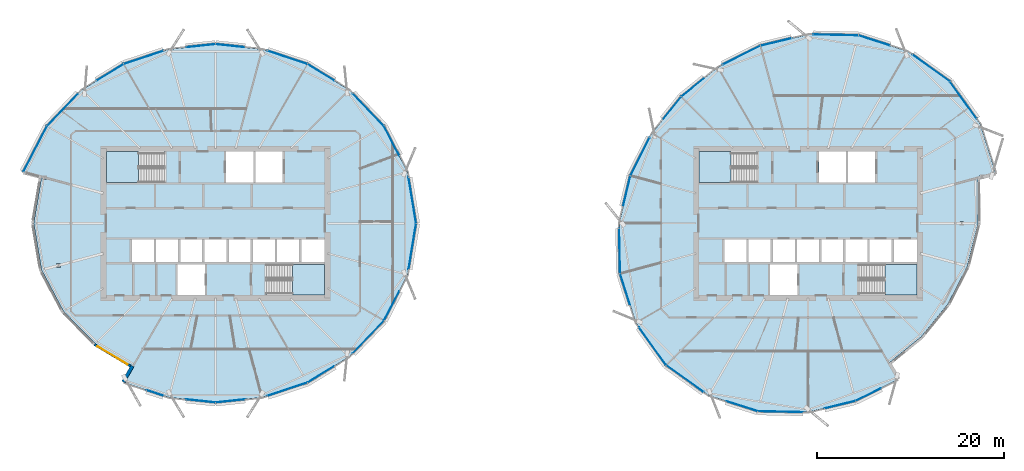
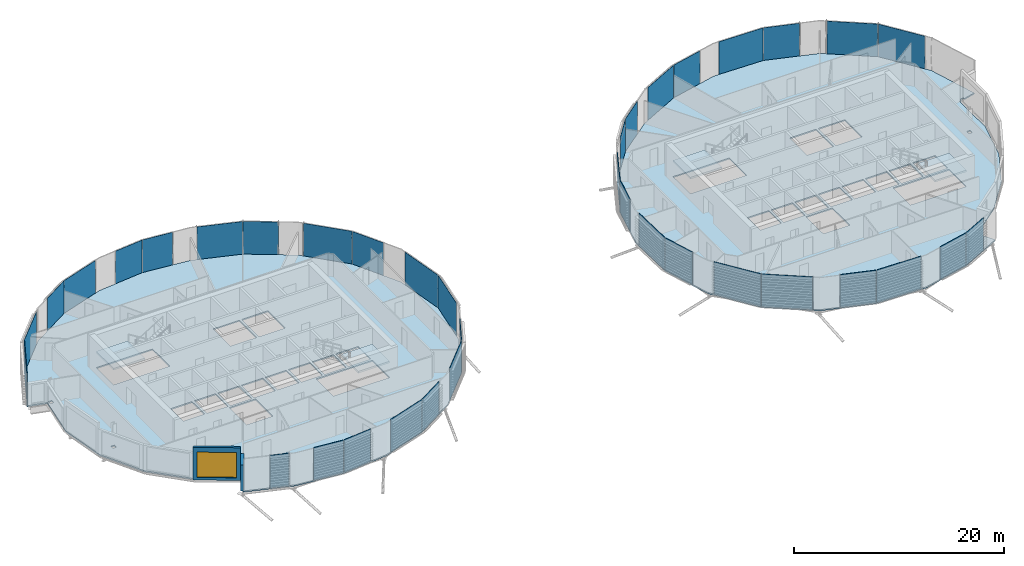
# One storey, part 17 of 36: 37 plates, 6 slabs, 2 walls, 1 window, 1 opening, 6 elements without a shape of their own.
"""IFC4 building model written with IfcOpenShell, lengths in metres."""

from ifc_helpers import new_model, si_unit, direction, frame, frame_2d, origin, origin_2d, place, context, subcontext, project, spatial, polyline, rectangle, outline, extrude, material, layer, layer_set, type_object, element, fill, aggregate, save


model = new_model("IFC4")

# Units and contexts
model_context = context("Model", 3, precision=1e-05, world=origin(), true_north=direction((0.0, 1.0)))
body_context = subcontext(model_context, "Body", "Model", "MODEL_VIEW")
ifc_project = project(units=[si_unit("LENGTHUNIT", "METRE"), si_unit("AREAUNIT", "SQUARE_METRE"), si_unit("VOLUMEUNIT", "CUBIC_METRE"), si_unit("PLANEANGLEUNIT", "RADIAN"), si_unit("MASSUNIT", "GRAM", prefix="KILO")], contexts=[model_context])

# Site, building, storey
site_placement = place(None, origin())
site = spatial("IfcSite", under=ifc_project, at=site_placement, CompositionType="ELEMENT")
building_placement = place(site_placement, origin())
building = spatial("IfcBuilding", under=site, at=building_placement, Name="Rimbun Link Towers", CompositionType="ELEMENT")
storey_placement = place(building_placement, frame((0.0, 0.0, 200.699951171875)))
storey = spatial("IfcBuildingStorey", under=building, at=storey_placement, Name="L49", CompositionType="ELEMENT", Elevation=200.699951171875)

# Slabs
ifc_material_1 = material(Name="Concrete C35/45", Category="concrete")
ifc_layer_1 = layer(ifc_material_1, 0.14990234375)
ifc_layer_set_1 = layer_set([ifc_layer_1], Name="COMPOSITE FLOOR 150")
slab_type_1 = type_object("IfcSlabType", Name="COMPOSITE FLOOR 150", PredefinedType="FLOOR", material=ifc_layer_set_1)
slab_1_placement = place(storey_placement, frame((0.0, 0.0, -0.14990234375)))
element("IfcSlab", 1, at=slab_1_placement, inside=storey, type_object=slab_type_1, Name="Floor slab T1 L49", PredefinedType="FLOOR", context=body_context, shape_type="SweptSolid", body=[
    extrude(outline(polyline([(-49.790283203125, 10.41552734375), (-46.058349609375, 14.308349609375), (-41.593505859375, 17.0498046875), (-36.748779296875, 18.6552734375), (-31.75, 19.181640625), (-26.751220703125, 18.6552734375), (-21.906494140625, 17.0498046875), (-17.441650390625, 14.308349609375), (-13.709716796875, 10.41552734375), (-11.173095703125, 5.513671875), (-10.2666015625, 0.0), (-11.173095703125, -5.513671875), (-13.709716796875, -10.41552734375), (-17.441650390625, -14.308349609375), (-21.906494140625, -17.0498046875), (-26.751220703125, -18.6552734375), (-31.75, -19.181640625), (-36.748779296875, -18.6552734375), (-41.593505859375, -17.0498046875), (-40.593505859375, -15.317626953125), (-44.64404296875, -12.89404296875), (-48.058349609375, -9.41552734375), (-50.39501953125, -4.995849609375), (-51.2333984375, 0.0), (-50.39501953125, 4.995849609375), (-52.326904296875, 5.513671875), (-49.790283203125, 10.41552734375)]), holes=[polyline([(-32.89990234375, -4.39990234375), (-35.800048828125, -4.39990234375), (-35.800048828125, -7.699951171875), (-32.89990234375, -7.699951171875), (-32.89990234375, -4.39990234375)]), polyline([(-48.378662109375, -4.705810546875), (-48.378662109375, -4.312255859375), (-48.777587890625, -4.312255859375), (-48.777587890625, -4.705810546875), (-48.378662109375, -4.705810546875)]), polyline([(-38.361083984375, -4.14990234375), (-38.361083984375, -1.75), (-40.70556640625, -1.75), (-40.70556640625, -4.14990234375), (-38.361083984375, -4.14990234375)]), polyline([(-35.7666015625, -4.14990234375), (-35.7666015625, -1.75), (-38.111083984375, -1.75), (-38.111083984375, -4.14990234375), (-35.7666015625, -4.14990234375)]), polyline([(-33.172119140625, -4.14990234375), (-33.172119140625, -1.75), (-35.5166015625, -1.75), (-35.5166015625, -4.14990234375), (-33.172119140625, -4.14990234375)]), polyline([(-30.577880859375, -4.14990234375), (-30.577880859375, -1.75), (-32.922119140625, -1.75), (-32.922119140625, -4.14990234375), (-30.577880859375, -4.14990234375)]), polyline([(-49.8486328125, 4.706298828125), (-49.8486328125, 5.099853515625), (-50.24755859375, 5.099853515625), (-50.24755859375, 4.706298828125), (-49.8486328125, 4.706298828125)]), polyline([(-37.260009765625, 4.39990234375), (-37.260009765625, 7.699951171875), (-43.449951171875, 7.699951171875), (-43.449951171875, 4.39990234375), (-37.260009765625, 4.39990234375)]), polyline([(-20.050048828125, -7.699951171875), (-20.050048828125, -4.39990234375), (-26.239990234375, -4.39990234375), (-26.239990234375, -7.699951171875), (-20.050048828125, -7.699951171875)]), polyline([(-27.9833984375, -4.14990234375), (-27.9833984375, -1.75), (-30.327880859375, -1.75), (-30.327880859375, -4.14990234375), (-27.9833984375, -4.14990234375)]), polyline([(-25.388916015625, -4.14990234375), (-25.388916015625, -1.75), (-27.7333984375, -1.75), (-27.7333984375, -4.14990234375), (-25.388916015625, -4.14990234375)]), polyline([(-22.79443359375, -4.14990234375), (-22.79443359375, -1.75), (-25.138916015625, -1.75), (-25.138916015625, -4.14990234375), (-22.79443359375, -4.14990234375)]), polyline([(-20.050048828125, -4.14990234375), (-20.050048828125, -1.75), (-22.54443359375, -1.75), (-22.54443359375, -4.14990234375), (-20.050048828125, -4.14990234375)]), polyline([(-27.699951171875, 4.39990234375), (-27.699951171875, 7.699951171875), (-30.60009765625, 7.699951171875), (-30.60009765625, 4.39990234375), (-27.699951171875, 4.39990234375)]), polyline([(-24.550048828125, 4.39990234375), (-24.550048828125, 7.699951171875), (-27.449951171875, 7.699951171875), (-27.449951171875, 4.39990234375), (-24.550048828125, 4.39990234375)])]), origin(), (0.0, 0.0, 1.0), 0.14990234375),
])
slab_2_placement = place(storey_placement, frame((0.0, 0.0, -0.14990234375)))
element("IfcSlab", 2, at=slab_2_placement, inside=storey, type_object=slab_type_1, Name="Floor slab T2 L49", PredefinedType="FLOOR", context=body_context, shape_type="SweptSolid", body=[
    extrude(outline(polyline([(49.939697265625, 4.873779296875), (49.985107421875, 0.0), (48.834716796875, -4.577880859375), (46.743896484375, -8.65673828125), (43.8994140625, -12.1494140625), (40.40673828125, -14.993896484375), (41.40673828125, -16.725830078125), (36.845458984375, -19.016357421875), (31.75, -20.235107421875), (26.3583984375, -20.12158203125), (21.0986328125, -18.44873046875), (16.558837890625, -15.191162109375), (13.30126953125, -10.6513671875), (11.62841796875, -5.3916015625), (11.514892578125, 0.0), (12.733642578125, 5.095458984375), (15.024169921875, 9.65673828125), (18.1865234375, 13.5634765625), (22.09326171875, 16.725830078125), (26.654541015625, 19.016357421875), (31.75, 20.235107421875), (37.1416015625, 20.12158203125), (42.4013671875, 18.44873046875), (46.941162109375, 15.191162109375), (50.19873046875, 10.6513671875), (51.87158203125, 5.3916015625), (50.599365234375, 5.05078125), (50.599365234375, 5.194091796875), (50.200439453125, 5.194091796875), (50.200439453125, 4.94384765625), (49.939697265625, 4.873779296875)]), holes=[polyline([(30.60009765625, -4.39990234375), (27.699951171875, -4.39990234375), (27.699951171875, -7.699951171875), (30.60009765625, -7.699951171875), (30.60009765625, -4.39990234375)]), polyline([(25.138916015625, -4.14990234375), (25.138916015625, -1.75), (22.79443359375, -1.75), (22.79443359375, -4.14990234375), (25.138916015625, -4.14990234375)]), polyline([(27.7333984375, -4.14990234375), (27.7333984375, -1.75), (25.388916015625, -1.75), (25.388916015625, -4.14990234375), (27.7333984375, -4.14990234375)]), polyline([(30.327880859375, -4.14990234375), (30.327880859375, -1.75), (27.9833984375, -1.75), (27.9833984375, -4.14990234375), (30.327880859375, -4.14990234375)]), polyline([(32.922119140625, -4.14990234375), (32.922119140625, -1.75), (30.577880859375, -1.75), (30.577880859375, -4.14990234375), (32.922119140625, -4.14990234375)]), polyline([(35.5166015625, -4.14990234375), (35.5166015625, -1.75), (33.172119140625, -1.75), (33.172119140625, -4.14990234375), (35.5166015625, -4.14990234375)]), polyline([(26.239990234375, 4.39990234375), (26.239990234375, 7.699951171875), (20.050048828125, 7.699951171875), (20.050048828125, 4.39990234375), (26.239990234375, 4.39990234375)]), polyline([(35.800048828125, 4.39990234375), (35.800048828125, 7.699951171875), (32.89990234375, 7.699951171875), (32.89990234375, 4.39990234375), (35.800048828125, 4.39990234375)]), polyline([(43.449951171875, -7.699951171875), (43.449951171875, -4.39990234375), (37.260009765625, -4.39990234375), (37.260009765625, -7.699951171875), (43.449951171875, -7.699951171875)]), polyline([(38.111083984375, -4.14990234375), (38.111083984375, -1.75), (35.7666015625, -1.75), (35.7666015625, -4.14990234375), (38.111083984375, -4.14990234375)]), polyline([(40.70556640625, -4.14990234375), (40.70556640625, -1.75), (38.361083984375, -1.75), (38.361083984375, -4.14990234375), (40.70556640625, -4.14990234375)]), polyline([(43.449951171875, -4.14990234375), (43.449951171875, -1.75), (40.95556640625, -1.75), (40.95556640625, -4.14990234375), (43.449951171875, -4.14990234375)]), polyline([(48.431884765625, -0.19677734375), (48.431884765625, 0.19677734375), (48.032958984375, 0.19677734375), (48.032958984375, -0.19677734375), (48.431884765625, -0.19677734375)]), polyline([(38.949951171875, 4.39990234375), (38.949951171875, 7.699951171875), (36.050048828125, 7.699951171875), (36.050048828125, 4.39990234375), (38.949951171875, 4.39990234375)])]), origin(), (0.0, 0.0, 1.0), 0.14990234375),
])

# Curtain wall, plates
ifc_material_2 = material(Name="Aluminium 6063-T6 and low-iron glass", Category="aluminium")
curtain_wall_type = type_object("IfcCurtainWallType", Name="CW1-Z3 unitised vision wall (zone 3)", PredefinedType="NOTDEFINED", material=ifc_material_2)
curtain_wall_1_placement = place(storey_placement, origin())
curtain_wall_1 = element("IfcCurtainWall", 3, at=curtain_wall_1_placement, inside=storey, type_object=curtain_wall_type, Name="CW1 L49 T1", PredefinedType="NOTDEFINED")
ifc_material_3 = material(Name="Low-iron glass, laminated low-e unit", Category="glass")
ifc_layer_2 = layer(ifc_material_3, 0.028076171875)
ifc_layer_set_2 = layer_set([ifc_layer_2], Name="CW1 panel Low-iron glass 28")
plate_type = type_object("IfcPlateType", Name="CW1 panel Low-iron glass 28", PredefinedType="CURTAIN_PANEL", material=ifc_layer_set_2)
plate_1_placement = place(storey_placement, frame((-10.6572265625, 2.463134765625, 0.0), z_axis=(0.0, 0.0, 1.0), x_axis=(0.162251000037, -0.986749518868, 0.0)))
plate_1 = element("IfcPlate", 4, at=plate_1_placement, type_object=plate_type, Name="CW1 panel", PredefinedType="CURTAIN_PANEL", context=body_context, shape_type="SweptSolid", body=[
    extrude(rectangle(XDim=4.94775390625, YDim=0.028076171875, at=origin_2d()), origin(), (0.0, 0.0, 1.0), 3.800048828125),
])
plate_2_placement = place(storey_placement, frame((-12.876953125, 8.8369140625, 0.0), z_axis=(0.0, 0.0, 1.0), x_axis=(0.459563387219, -0.888144973035, 0.0)))
plate_2 = element("IfcPlate", 5, at=plate_2_placement, type_object=plate_type, Name="CW1 panel", PredefinedType="CURTAIN_PANEL", context=body_context, shape_type="SweptSolid", body=[
    extrude(rectangle(XDim=3.529296875, YDim=0.028076171875, at=origin_2d()), origin(), (0.0, 0.0, 1.0), 3.800048828125),
])
plate_3_placement = place(storey_placement, frame((-15.375244140625, 12.173095703125, 0.0), z_axis=(0.0, 0.0, 1.0), x_axis=(0.692040676143, -0.721858505917, 0.0)))
plate_3 = element("IfcPlate", 6, at=plate_3_placement, type_object=plate_type, Name="CW1 panel", PredefinedType="CURTAIN_PANEL", context=body_context, shape_type="SweptSolid", body=[
    extrude(rectangle(XDim=4.802734375, YDim=0.028076171875, at=origin_2d()), origin(), (0.0, 0.0, 1.0), 3.800048828125),
])
plate_4_placement = place(storey_placement, frame((-20.454833984375, 16.175048828125, 0.0), z_axis=(0.0, 0.0, 1.0), x_axis=(0.852191980023, -0.523229231966, 0.0)))
plate_4 = element("IfcPlate", 7, at=plate_4_placement, type_object=plate_type, Name="CW1 panel", PredefinedType="CURTAIN_PANEL", context=body_context, shape_type="SweptSolid", body=[
    extrude(rectangle(XDim=3.34912109375, YDim=0.028076171875, at=origin_2d()), origin(), (0.0, 0.0, 1.0), 3.800048828125),
])
plate_5_placement = place(storey_placement, frame((-24.039794921875, 17.771484375, 0.0), z_axis=(0.0, 0.0, 1.0), x_axis=(0.949238257149, -0.314557993327, 0.0)))
plate_5 = element("IfcPlate", 8, at=plate_5_placement, type_object=plate_type, Name="CW1 panel", PredefinedType="CURTAIN_PANEL", context=body_context, shape_type="SweptSolid", body=[
    extrude(rectangle(XDim=4.4638671875, YDim=0.028076171875, at=origin_2d()), origin(), (0.0, 0.0, 1.0), 3.800048828125),
])
plate_6_placement = place(storey_placement, frame((-30.169189453125, 19.029296875, 0.0), z_axis=(0.0, 0.0, 1.0), x_axis=(0.994498801029, -0.104747958219, 0.0)))
plate_6 = element("IfcPlate", 9, at=plate_6_placement, type_object=plate_type, Name="CW1 panel", PredefinedType="CURTAIN_PANEL", context=body_context, shape_type="SweptSolid", body=[
    extrude(rectangle(XDim=3.13623046875, YDim=0.028076171875, at=origin_2d()), origin(), (0.0, 0.0, 1.0), 3.800048828125),
])
plate_7_placement = place(storey_placement, frame((-33.330810546875, 19.029296875, 0.0), z_axis=(0.0, 0.0, 1.0), x_axis=(0.994498801029, 0.104747958219, 0.0)))
plate_7 = element("IfcPlate", 10, at=plate_7_placement, type_object=plate_type, Name="CW1 panel", PredefinedType="CURTAIN_PANEL", context=body_context, shape_type="SweptSolid", body=[
    extrude(rectangle(XDim=3.13623046875, YDim=0.028076171875, at=origin_2d()), origin(), (0.0, 0.0, 1.0), 3.800048828125),
])
plate_8_placement = place(storey_placement, frame((-39.460205078125, 17.771484375, 0.0), z_axis=(0.0, 0.0, 1.0), x_axis=(0.949238257149, 0.314557993327, 0.0)))
plate_8 = element("IfcPlate", 11, at=plate_8_placement, type_object=plate_type, Name="CW1 panel", PredefinedType="CURTAIN_PANEL", context=body_context, shape_type="SweptSolid", body=[
    extrude(rectangle(XDim=4.4638671875, YDim=0.028076171875, at=origin_2d()), origin(), (0.0, 0.0, 1.0), 3.800048828125),
])
plate_9_placement = place(storey_placement, frame((-43.045166015625, 16.175048828125, 0.0), z_axis=(0.0, 0.0, 1.0), x_axis=(0.852191980023, 0.523229231966, 0.0)))
plate_9 = element("IfcPlate", 12, at=plate_9_placement, type_object=plate_type, Name="CW1 panel", PredefinedType="CURTAIN_PANEL", context=body_context, shape_type="SweptSolid", body=[
    extrude(rectangle(XDim=3.34912109375, YDim=0.028076171875, at=origin_2d()), origin(), (0.0, 0.0, 1.0), 3.800048828125),
])
plate_10_placement = place(storey_placement, frame((-48.124755859375, 12.173095703125, 0.0), z_axis=(0.0, 0.0, 1.0), x_axis=(0.692040676143, 0.721858505917, 0.0)))
plate_10 = element("IfcPlate", 13, at=plate_10_placement, type_object=plate_type, Name="CW1 panel", PredefinedType="CURTAIN_PANEL", context=body_context, shape_type="SweptSolid", body=[
    extrude(rectangle(XDim=4.802734375, YDim=0.028076171875, at=origin_2d()), origin(), (0.0, 0.0, 1.0), 3.800048828125),
])
plate_11_placement = place(storey_placement, frame((-51.071044921875, 7.970947265625, 0.0), z_axis=(0.0, 0.0, 1.0), x_axis=(0.459563387219, 0.888144973035, 0.0)))
plate_11 = element("IfcPlate", 14, at=plate_11_placement, type_object=plate_type, Name="CW1 panel", PredefinedType="CURTAIN_PANEL", context=body_context, shape_type="SweptSolid", body=[
    extrude(rectangle(XDim=5.479248046875, YDim=0.028076171875, at=origin_2d()), origin(), (0.0, 0.0, 1.0), 3.800048828125),
])
plate_12_placement = place(storey_placement, frame((-38.226318359375, -18.18017578125, 0.0), z_axis=(0.0, 0.0, 1.0), x_axis=(-0.949238257149, 0.314557993327, 0.0)))
plate_12 = element("IfcPlate", 15, at=plate_12_placement, type_object=plate_type, Name="CW1 panel", PredefinedType="CURTAIN_PANEL", context=body_context, shape_type="SweptSolid", body=[
    extrude(rectangle(XDim=1.864013671875, YDim=0.028076171875, at=origin_2d()), origin(), (0.0, 0.0, 1.0), 3.800048828125),
])
plate_13_placement = place(storey_placement, frame((-33.330810546875, -19.029296875, 0.0), z_axis=(0.0, 0.0, 1.0), x_axis=(-0.994498801029, 0.104747958219, 0.0)))
plate_13 = element("IfcPlate", 16, at=plate_13_placement, type_object=plate_type, Name="CW1 panel", PredefinedType="CURTAIN_PANEL", context=body_context, shape_type="SweptSolid", body=[
    extrude(rectangle(XDim=3.13623046875, YDim=0.028076171875, at=origin_2d()), origin(), (0.0, 0.0, 1.0), 3.800048828125),
])
plate_14_placement = place(storey_placement, frame((-30.169189453125, -19.029296875, 0.0), z_axis=(0.0, 0.0, 1.0), x_axis=(-0.994498801029, -0.104747958219, 0.0)))
plate_14 = element("IfcPlate", 17, at=plate_14_placement, type_object=plate_type, Name="CW1 panel", PredefinedType="CURTAIN_PANEL", context=body_context, shape_type="SweptSolid", body=[
    extrude(rectangle(XDim=3.13623046875, YDim=0.028076171875, at=origin_2d()), origin(), (0.0, 0.0, 1.0), 3.800048828125),
])
plate_15_placement = place(storey_placement, frame((-24.039794921875, -17.771484375, 0.0), z_axis=(0.0, 0.0, 1.0), x_axis=(-0.949238257149, -0.314557993327, 0.0)))
plate_15 = element("IfcPlate", 18, at=plate_15_placement, type_object=plate_type, Name="CW1 panel", PredefinedType="CURTAIN_PANEL", context=body_context, shape_type="SweptSolid", body=[
    extrude(rectangle(XDim=4.4638671875, YDim=0.028076171875, at=origin_2d()), origin(), (0.0, 0.0, 1.0), 3.800048828125),
])
plate_16_placement = place(storey_placement, frame((-20.454833984375, -16.175048828125, 0.0), z_axis=(0.0, 0.0, 1.0), x_axis=(-0.852191980023, -0.523229231966, 0.0)))
plate_16 = element("IfcPlate", 19, at=plate_16_placement, type_object=plate_type, Name="CW1 panel", PredefinedType="CURTAIN_PANEL", context=body_context, shape_type="SweptSolid", body=[
    extrude(rectangle(XDim=3.34912109375, YDim=0.028076171875, at=origin_2d()), origin(), (0.0, 0.0, 1.0), 3.800048828125),
])
plate_17_placement = place(storey_placement, frame((-15.375244140625, -12.173095703125, 0.0), z_axis=(0.0, 0.0, 1.0), x_axis=(-0.692040676143, -0.721858505917, 0.0)))
plate_17 = element("IfcPlate", 20, at=plate_17_placement, type_object=plate_type, Name="CW1 panel", PredefinedType="CURTAIN_PANEL", context=body_context, shape_type="SweptSolid", body=[
    extrude(rectangle(XDim=4.802734375, YDim=0.028076171875, at=origin_2d()), origin(), (0.0, 0.0, 1.0), 3.800048828125),
])
plate_18_placement = place(storey_placement, frame((-12.876953125, -8.8369140625, 0.0), z_axis=(0.0, 0.0, 1.0), x_axis=(-0.459563387219, -0.888144973035, 0.0)))
plate_18 = element("IfcPlate", 21, at=plate_18_placement, type_object=plate_type, Name="CW1 panel", PredefinedType="CURTAIN_PANEL", context=body_context, shape_type="SweptSolid", body=[
    extrude(rectangle(XDim=3.529296875, YDim=0.028076171875, at=origin_2d()), origin(), (0.0, 0.0, 1.0), 3.800048828125),
])
plate_19_placement = place(storey_placement, frame((-10.6572265625, -2.463134765625, 0.0), z_axis=(0.0, 0.0, 1.0), x_axis=(-0.162251000037, -0.986749518868, 0.0)))
plate_19 = element("IfcPlate", 22, at=plate_19_placement, type_object=plate_type, Name="CW1 panel", PredefinedType="CURTAIN_PANEL", context=body_context, shape_type="SweptSolid", body=[
    extrude(rectangle(XDim=4.94775390625, YDim=0.028076171875, at=origin_2d()), origin(), (0.0, 0.0, 1.0), 3.800048828125),
])
aggregate(curtain_wall_1, [plate_1, plate_2, plate_3, plate_4, plate_5, plate_6, plate_7, plate_8, plate_9, plate_10, plate_11, plate_12, plate_13, plate_14, plate_15, plate_16, plate_17, plate_18, plate_19])

curtain_wall_2_placement = place(storey_placement, origin())
curtain_wall_2 = element("IfcCurtainWall", 23, at=curtain_wall_2_placement, inside=storey, type_object=curtain_wall_type, Name="CW1 L49 T2", PredefinedType="NOTDEFINED")
plate_20_placement = place(storey_placement, frame((44.943359375, 16.641845703125, 0.0), z_axis=(0.0, 0.0, 1.0), x_axis=(0.81246545613, -0.583009333198, 0.0)))
plate_20 = element("IfcPlate", 24, at=plate_20_placement, type_object=plate_type, Name="CW1 panel", PredefinedType="CURTAIN_PANEL", context=body_context, shape_type="SweptSolid", body=[
    extrude(rectangle(XDim=4.8974609375, YDim=0.028076171875, at=origin_2d()), origin(), (0.0, 0.0, 1.0), 3.800048828125),
])
plate_21_placement = place(storey_placement, frame((38.846435546875, 19.593994140625, 0.0), z_axis=(0.0, 0.0, 1.0), x_axis=(0.952967886603, -0.303071290464, 0.0)))
plate_21 = element("IfcPlate", 25, at=plate_21_placement, type_object=plate_type, Name="CW1 panel", PredefinedType="CURTAIN_PANEL", context=body_context, shape_type="SweptSolid", body=[
    extrude(rectangle(XDim=3.529541015625, YDim=0.028076171875, at=origin_2d()), origin(), (0.0, 0.0, 1.0), 3.800048828125),
])
plate_22_placement = place(storey_placement, frame((34.720947265625, 20.1865234375, 0.0), z_axis=(0.0, 0.0, 1.0), x_axis=(0.999778097154, -0.021065527565, 0.0)))
plate_22 = element("IfcPlate", 26, at=plate_22_placement, type_object=plate_type, Name="CW1 panel", PredefinedType="CURTAIN_PANEL", context=body_context, shape_type="SweptSolid", body=[
    extrude(rectangle(XDim=4.802734375, YDim=0.028076171875, at=origin_2d()), origin(), (0.0, 0.0, 1.0), 3.800048828125),
])
plate_23_placement = place(storey_placement, frame((28.32373046875, 19.429931640625, 0.0), z_axis=(0.0, 0.0, 1.0), x_axis=(0.972568754126, 0.23261560244, 0.0)))
plate_23 = element("IfcPlate", 27, at=plate_23_placement, type_object=plate_type, Name="CW1 panel", PredefinedType="CURTAIN_PANEL", context=body_context, shape_type="SweptSolid", body=[
    extrude(rectangle(XDim=3.399169921875, YDim=0.028076171875, at=origin_2d()), origin(), (0.0, 0.0, 1.0), 3.800048828125),
])
plate_24_placement = place(storey_placement, frame((24.6357421875, 18.018310546875, 0.0), z_axis=(0.0, 0.0, 1.0), x_axis=(0.893646073156, 0.448772432233, 0.0)))
plate_24 = element("IfcPlate", 28, at=plate_24_placement, type_object=plate_type, Name="CW1 panel", PredefinedType="CURTAIN_PANEL", context=body_context, shape_type="SweptSolid", body=[
    extrude(rectangle(XDim=4.464111328125, YDim=0.028076171875, at=origin_2d()), origin(), (0.0, 0.0, 1.0), 3.800048828125),
])
plate_25_placement = place(storey_placement, frame((19.412109375, 14.573486328125, 0.0), z_axis=(0.0, 0.0, 1.0), x_axis=(0.777278691991, 0.629156447139, 0.0)))
plate_25 = element("IfcPlate", 29, at=plate_25_placement, type_object=plate_type, Name="CW1 panel", PredefinedType="CURTAIN_PANEL", context=body_context, shape_type="SweptSolid", body=[
    extrude(rectangle(XDim=3.13623046875, YDim=0.028076171875, at=origin_2d()), origin(), (0.0, 0.0, 1.0), 3.800048828125),
])
plate_26_placement = place(storey_placement, frame((17.192138671875, 12.357421875, 0.0), z_axis=(0.0, 0.0, 1.0), x_axis=(0.629156447139, 0.777278691991, 0.0)))
plate_26 = element("IfcPlate", 30, at=plate_26_placement, type_object=plate_type, Name="CW1 panel", PredefinedType="CURTAIN_PANEL", context=body_context, shape_type="SweptSolid", body=[
    extrude(rectangle(XDim=3.086181640625, YDim=0.028076171875, at=origin_2d()), origin(), (0.0, 0.0, 1.0), 3.800048828125),
])
plate_27_placement = place(storey_placement, frame((13.742919921875, 7.136474609375, 0.0), z_axis=(0.0, 0.0, 1.0), x_axis=(0.448772432233, 0.893646073156, 0.0)))
plate_27 = element("IfcPlate", 31, at=plate_27_placement, type_object=plate_type, Name="CW1 panel", PredefinedType="CURTAIN_PANEL", context=body_context, shape_type="SweptSolid", body=[
    extrude(rectangle(XDim=4.51416015625, YDim=0.028076171875, at=origin_2d()), origin(), (0.0, 0.0, 1.0), 3.800048828125),
])
plate_28_placement = place(storey_placement, frame((12.32568359375, 3.45068359375, 0.0), z_axis=(0.0, 0.0, 1.0), x_axis=(0.23261560244, 0.972568754126, 0.0)))
plate_28 = element("IfcPlate", 32, at=plate_28_placement, type_object=plate_type, Name="CW1 panel", PredefinedType="CURTAIN_PANEL", context=body_context, shape_type="SweptSolid", body=[
    extrude(rectangle(XDim=3.34912109375, YDim=0.028076171875, at=origin_2d()), origin(), (0.0, 0.0, 1.0), 3.800048828125),
])
plate_29_placement = place(storey_placement, frame((11.5634765625, -2.970947265625, 0.0), z_axis=(0.0, 0.0, 1.0), x_axis=(-0.021065527565, 0.999778097154, 0.0)))
plate_29 = element("IfcPlate", 33, at=plate_29_placement, type_object=plate_type, Name="CW1 panel", PredefinedType="CURTAIN_PANEL", context=body_context, shape_type="SweptSolid", body=[
    extrude(rectangle(XDim=4.802734375, YDim=0.028076171875, at=origin_2d()), origin(), (0.0, 0.0, 1.0), 3.800048828125),
])
plate_30_placement = place(storey_placement, frame((12.156005859375, -7.096435546875, 0.0), z_axis=(0.0, 0.0, 1.0), x_axis=(-0.303071290464, 0.952967886603, 0.0)))
plate_30 = element("IfcPlate", 34, at=plate_30_placement, type_object=plate_type, Name="CW1 panel", PredefinedType="CURTAIN_PANEL", context=body_context, shape_type="SweptSolid", body=[
    extrude(rectangle(XDim=3.529541015625, YDim=0.028076171875, at=origin_2d()), origin(), (0.0, 0.0, 1.0), 3.800048828125),
])
plate_31_placement = place(storey_placement, frame((15.09375, -13.173095703125, 0.0), z_axis=(0.0, 0.0, 1.0), x_axis=(-0.583009333198, 0.81246545613, 0.0)))
plate_31 = element("IfcPlate", 35, at=plate_31_placement, type_object=plate_type, Name="CW1 panel", PredefinedType="CURTAIN_PANEL", context=body_context, shape_type="SweptSolid", body=[
    extrude(rectangle(XDim=4.947509765625, YDim=0.028076171875, at=origin_2d()), origin(), (0.0, 0.0, 1.0), 3.800048828125),
])
plate_32_placement = place(storey_placement, frame((18.556640625, -16.641845703125, 0.0), z_axis=(0.0, 0.0, 1.0), x_axis=(-0.81246545613, 0.583009333198, 0.0)))
plate_32 = element("IfcPlate", 36, at=plate_32_placement, type_object=plate_type, Name="CW1 panel", PredefinedType="CURTAIN_PANEL", context=body_context, shape_type="SweptSolid", body=[
    extrude(rectangle(XDim=4.8974609375, YDim=0.028076171875, at=origin_2d()), origin(), (0.0, 0.0, 1.0), 3.800048828125),
])
plate_33_placement = place(storey_placement, frame((24.653564453125, -19.593994140625, 0.0), z_axis=(0.0, 0.0, 1.0), x_axis=(-0.952967886603, 0.303071290464, 0.0)))
plate_33 = element("IfcPlate", 37, at=plate_33_placement, type_object=plate_type, Name="CW1 panel", PredefinedType="CURTAIN_PANEL", context=body_context, shape_type="SweptSolid", body=[
    extrude(rectangle(XDim=3.529541015625, YDim=0.028076171875, at=origin_2d()), origin(), (0.0, 0.0, 1.0), 3.800048828125),
])
plate_34_placement = place(storey_placement, frame((28.779052734375, -20.1865234375, 0.0), z_axis=(0.0, 0.0, 1.0), x_axis=(-0.999778097154, 0.021065527565, 0.0)))
plate_34 = element("IfcPlate", 38, at=plate_34_placement, type_object=plate_type, Name="CW1 panel", PredefinedType="CURTAIN_PANEL", context=body_context, shape_type="SweptSolid", body=[
    extrude(rectangle(XDim=4.802734375, YDim=0.028076171875, at=origin_2d()), origin(), (0.0, 0.0, 1.0), 3.800048828125),
])
plate_35_placement = place(storey_placement, frame((35.17626953125, -19.429931640625, 0.0), z_axis=(0.0, 0.0, 1.0), x_axis=(-0.972568754126, -0.23261560244, 0.0)))
plate_35 = element("IfcPlate", 39, at=plate_35_placement, type_object=plate_type, Name="CW1 panel", PredefinedType="CURTAIN_PANEL", context=body_context, shape_type="SweptSolid", body=[
    extrude(rectangle(XDim=3.399169921875, YDim=0.028076171875, at=origin_2d()), origin(), (0.0, 0.0, 1.0), 3.800048828125),
])
plate_36_placement = place(storey_placement, frame((38.21630859375, -18.343505859375, 0.0), z_axis=(0.0, 0.0, 1.0), x_axis=(-0.893646073156, -0.448772432233, 0.0)))
plate_36 = element("IfcPlate", 40, at=plate_36_placement, type_object=plate_type, Name="CW1 panel", PredefinedType="CURTAIN_PANEL", context=body_context, shape_type="SweptSolid", body=[
    extrude(rectangle(XDim=3.01416015625, YDim=0.028076171875, at=origin_2d()), origin(), (0.0, 0.0, 1.0), 3.800048828125),
])
plate_37_placement = place(storey_placement, frame((48.391845703125, 13.193359375, 0.0), z_axis=(0.0, 0.0, 1.0), x_axis=(0.583009333198, -0.81246545613, 0.0)))
plate_37 = element("IfcPlate", 41, at=plate_37_placement, type_object=plate_type, Name="CW1 panel", PredefinedType="CURTAIN_PANEL", context=body_context, shape_type="SweptSolid", body=[
    extrude(rectangle(XDim=4.8974609375, YDim=0.028076171875, at=origin_2d()), origin(), (0.0, 0.0, 1.0), 3.800048828125),
])
aggregate(curtain_wall_2, [plate_20, plate_21, plate_22, plate_23, plate_24, plate_25, plate_26, plate_27, plate_28, plate_29, plate_30, plate_31, plate_32, plate_33, plate_34, plate_35, plate_36, plate_37])

# Stair, slab
ifc_material_4 = material(Name="Concrete C40/50", Category="concrete")
stair_type = type_object("IfcStairType", Name="Exit stair 3800 rise", PredefinedType="HALF_TURN_STAIR", material=ifc_material_4)
stair_1_placement = place(storey_placement, origin())
stair_1 = element("IfcStair", 42, at=stair_1_placement, inside=storey, type_object=stair_type, Name="L49 EXIT STAIR A", PredefinedType="HALF_TURN_STAIR")
ifc_material_5 = material(Name="Concrete C40/50", Category="concrete")
ifc_layer_3 = layer(ifc_material_5, 0.199951171875)
ifc_layer_set_3 = layer_set([ifc_layer_3], Name="Stair landing")
slab_type_2 = type_object("IfcSlabType", Name="Stair landing", PredefinedType="LANDING", material=ifc_layer_set_3)
slab_3_placement = place(storey_placement, frame((0.0, 0.0, 1.699951171875)))
slab_3 = element("IfcSlab", 43, at=slab_3_placement, type_object=slab_type_2, Name="ST1 landing 1", PredefinedType="LANDING", context=body_context, shape_type="SweptSolid", body=[
    extrude(outline(polyline([(-40.0, 7.699951171875), (-43.449951171875, 7.699951171875), (-43.449951171875, 4.39990234375), (-40.0, 4.39990234375), (-40.0, 7.699951171875)])), origin(), (0.0, 0.0, 1.0), 0.2001953125),
])
aggregate(stair_1, [slab_3])

stair_2_placement = place(storey_placement, origin())
stair_2 = element("IfcStair", 44, at=stair_2_placement, inside=storey, type_object=stair_type, Name="L49 EXIT STAIR B", PredefinedType="HALF_TURN_STAIR")
slab_4_placement = place(storey_placement, frame((0.0, 0.0, 1.699951171875)))
slab_4 = element("IfcSlab", 45, at=slab_4_placement, type_object=slab_type_2, Name="ST2 landing 1", PredefinedType="LANDING", context=body_context, shape_type="SweptSolid", body=[
    extrude(outline(polyline([(-23.5, -7.699951171875), (-20.050048828125, -7.699951171875), (-20.050048828125, -4.39990234375), (-23.5, -4.39990234375), (-23.5, -7.699951171875)])), origin(), (0.0, 0.0, 1.0), 0.2001953125),
])
aggregate(stair_2, [slab_4])

stair_3_placement = place(storey_placement, origin())
stair_3 = element("IfcStair", 46, at=stair_3_placement, inside=storey, type_object=stair_type, Name="L49 EXIT STAIR A", PredefinedType="HALF_TURN_STAIR")
slab_5_placement = place(storey_placement, frame((0.0, 0.0, 1.699951171875)))
slab_5 = element("IfcSlab", 47, at=slab_5_placement, type_object=slab_type_2, Name="ST3 landing 1", PredefinedType="LANDING", context=body_context, shape_type="SweptSolid", body=[
    extrude(outline(polyline([(23.5, 7.699951171875), (20.050048828125, 7.699951171875), (20.050048828125, 4.39990234375), (23.5, 4.39990234375), (23.5, 7.699951171875)])), origin(), (0.0, 0.0, 1.0), 0.2001953125),
])
aggregate(stair_3, [slab_5])

stair_4_placement = place(storey_placement, origin())
stair_4 = element("IfcStair", 48, at=stair_4_placement, inside=storey, type_object=stair_type, Name="L49 EXIT STAIR B", PredefinedType="HALF_TURN_STAIR")
slab_6_placement = place(storey_placement, frame((0.0, 0.0, 1.699951171875)))
slab_6 = element("IfcSlab", 49, at=slab_6_placement, type_object=slab_type_2, Name="ST4 landing 1", PredefinedType="LANDING", context=body_context, shape_type="SweptSolid", body=[
    extrude(outline(polyline([(40.0, -7.699951171875), (43.449951171875, -7.699951171875), (43.449951171875, -4.39990234375), (40.0, -4.39990234375), (40.0, -7.699951171875)])), origin(), (0.0, 0.0, 1.0), 0.2001953125),
])
aggregate(stair_4, [slab_6])

# Wall, opening, window
ifc_material_6 = material(Name="Dark enamelled glass spandrel on insulated aluminium backpan", Category="aluminium")
ifc_layer_4 = layer(ifc_material_6, 0.25)
ifc_layer_set_4 = layer_set([ifc_layer_4], Name="CS dark enamelled spandrel wall 250")
wall_type_1 = type_object("IfcWallType", Name="CS dark enamelled spandrel wall 250", PredefinedType="STANDARD", material=ifc_layer_set_4)
wall_1_placement = place(storey_placement, frame((-40.87060546875, -15.297607421875, 0.0), z_axis=(0.0, 0.0, 1.0), x_axis=(-0.858130603388, 0.513431463323, 0.0)))
wall_1 = element("IfcWall", 50, at=wall_1_placement, inside=storey, type_object=wall_type_1, Name="Crease spandrel wall", PredefinedType="STANDARD", context=body_context, shape_type="SweptSolid", body=[
    extrude(rectangle(XDim=4.48828125, YDim=0.25, at=frame_2d((2.244140625, 0.0))), origin(), (0.0, 0.0, 1.0), 3.800048828125),
])
opening_placement = place(wall_1_placement, frame((0.369140625, 0.0, 0.300048828125)))
opening = element("IfcOpeningElement", 51, at=opening_placement, cuts=wall_1, Name="Opening WR38H295", PredefinedType="OPENING", context=body_context, shape_type="SweptSolid", body=[
    extrude(rectangle(XDim=3.75, YDim=2.949951171875, at=frame_2d((1.875, 1.47509765625))), frame((0.0, 0.135009765625, 0.0), z_axis=(0.0, -1.0, 0.0), x_axis=(1.0, 0.0, 0.0)), (0.0, 0.0, 1.0), 0.27001953125),
])
ifc_material_7 = material(Name="Aluminium framed fixed window, dark tinted low-e glass", Category="aluminium")
window_type = type_object("IfcWindowType", Name="WR ribbon window 3750X2950", PartitioningType="SINGLE_PANEL", PredefinedType="WINDOW", material=ifc_material_7)
window_placement = place(opening_placement, origin())
window = element("IfcWindow", 52, at=window_placement, inside=storey, type_object=window_type, Name="Crease ribbon window", OverallHeight=2.949951171875, OverallWidth=3.75, PartitioningType="SINGLE_PANEL", PredefinedType="WINDOW", context=body_context, shape_type="SweptSolid", body=[
    extrude(rectangle(XDim=3.75, YDim=2.949951171875, at=frame_2d((1.875, 1.47509765625))), frame((0.0, 0.030029296875, 0.0), z_axis=(0.0, -1.0, 0.0), x_axis=(1.0, 0.0, 0.0)), (0.0, 0.0, 1.0), 0.06005859375),
])
fill(opening, window)

# Wall
ifc_material_8 = material(Name="Dark enamelled glass spandrel on insulated aluminium backpan", Category="aluminium")
ifc_layer_5 = layer(ifc_material_8, 0.3701171875)
ifc_layer_set_5 = layer_set([ifc_layer_5], Name="CS dark enamelled spandrel wall 370")
wall_type_2 = type_object("IfcWallType", Name="CS dark enamelled spandrel wall 370", PredefinedType="STANDARD", material=ifc_layer_set_5)
wall_2_placement = place(storey_placement, frame((-41.639892578125, -17.0, 0.0), z_axis=(0.0, 0.0, 1.0), x_axis=(0.499971491109, 0.866041862775, 0.0)))
element("IfcWall", 53, at=wall_2_placement, inside=storey, type_object=wall_type_2, Name="Crease spandrel wall", PredefinedType="STANDARD", context=body_context, shape_type="SweptSolid", body=[
    extrude(rectangle(XDim=1.97998046875, YDim=0.3701171875, at=frame_2d((0.989990234375, 0.0))), origin(), (0.0, 0.0, 1.0), 2.987548828125),
])

save(model, "model.ifc")
